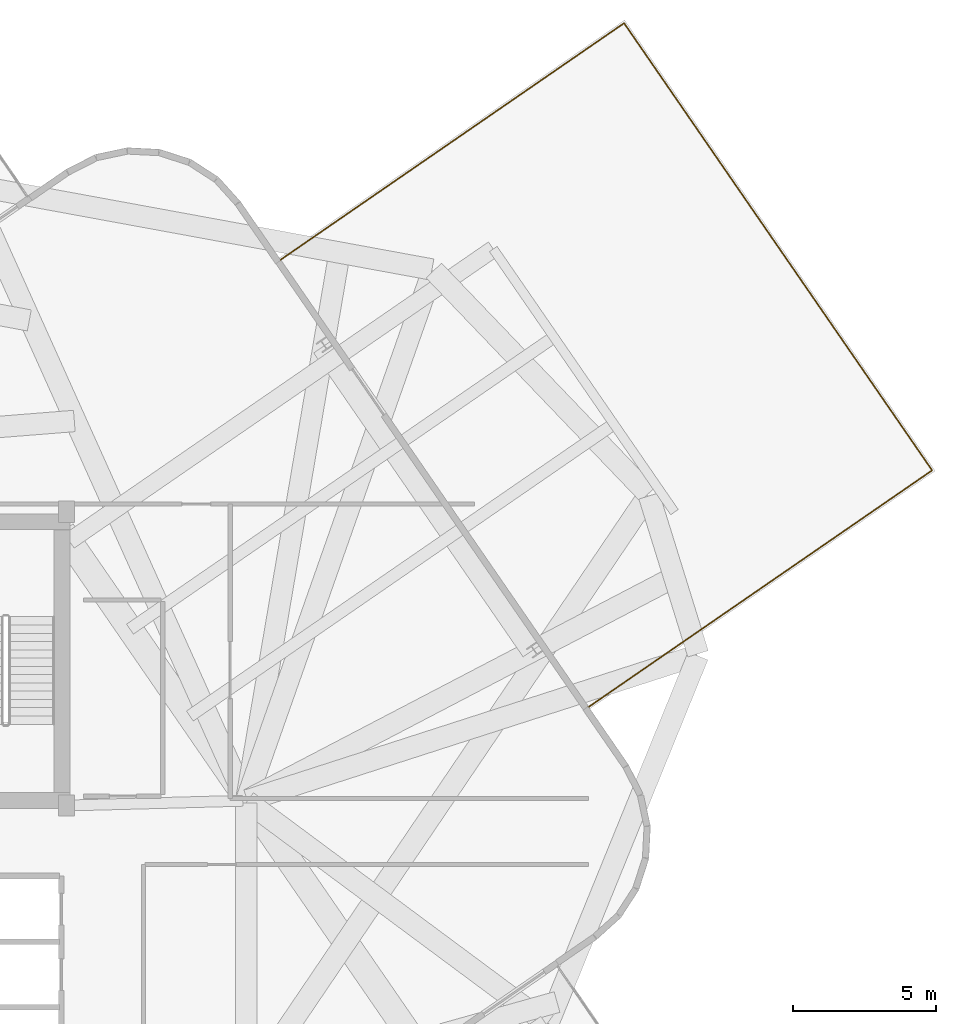
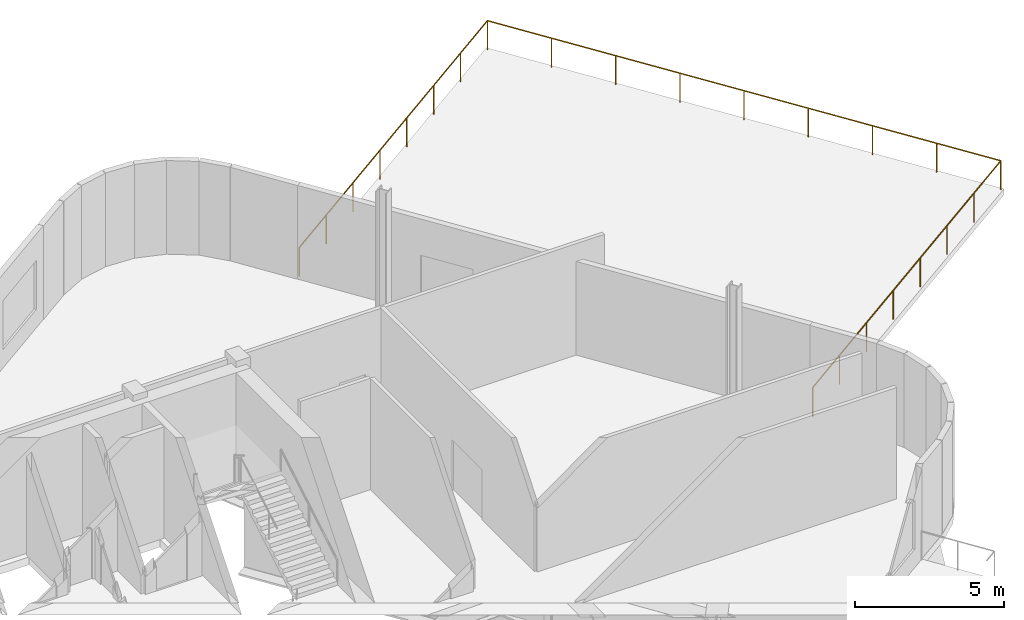
# One storey, part 18 of 18: 1 railing.
"""IFC4 building model written with IfcOpenShell, lengths in metres."""

from ifc_helpers import new_model, si_unit, direction, frame, origin, origin_2d, place, context, subcontext, project, spatial, circle, extrude, material, type_object, element, save


model = new_model("IFC4")

# Units and contexts
model_context = context("Model", 3, precision=1e-05, world=origin(), true_north=direction((0.0, 1.0)))
body_context = subcontext(model_context, "Body", "Model", "MODEL_VIEW")
ifc_project = project(units=[si_unit("LENGTHUNIT", "METRE"), si_unit("AREAUNIT", "SQUARE_METRE"), si_unit("VOLUMEUNIT", "CUBIC_METRE"), si_unit("PLANEANGLEUNIT", "RADIAN"), si_unit("MASSUNIT", "GRAM", prefix="KILO")], contexts=[model_context])

# Site, building, storey
site_placement = place(None, origin())
site = spatial("IfcSite", under=ifc_project, at=site_placement, CompositionType="ELEMENT")
building_placement = place(site_placement, origin())
building = spatial("IfcBuilding", under=site, at=building_placement, Name="Varnelok Gate Tower", CompositionType="ELEMENT")
storey_placement = place(building_placement, frame((0.0, 0.0, 296.300048828125)))
storey = spatial("IfcBuildingStorey", under=building, at=storey_placement, Name="L76", CompositionType="ELEMENT", Elevation=296.300048828125)

# Railing
ifc_material = material(Name="Anodized Aluminum Alloy 6063-T6", Category="aluminium")
railing_type = type_object("IfcRailingType", Name="RL-SKYG-1200", PredefinedType="GUARDRAIL", material=ifc_material)
railing_placement = place(storey_placement, frame((65.97119140625, 32.1806640625, 0.0)))
element("IfcRailing", 1, at=railing_placement, inside=storey, type_object=railing_type, Name="L76 East Cantilever Observation Lookout Guardrail", PredefinedType="GUARDRAIL", context=body_context, shape_type="SweptSolid", body=[
    extrude(circle(Radius=0.02392578125, at=origin_2d()), frame((0.0, 0.0, 1.17578125), z_axis=(0.823530752495, 0.56727162779, 0.0), x_axis=(-0.56727162779, 0.823530752495, 0.0)), (0.0, 0.0, 1.0), 14.669921875),
    extrude(circle(Radius=0.02392578125, at=origin_2d()), frame((12.0810546875, 8.32177734375, 1.17578125), z_axis=(-0.567265428435, 0.823535022754, 0.0), x_axis=(-0.823535022754, -0.567265428435, 0.0)), (0.0, 0.0, 1.0), 19.0400390625),
    extrude(circle(Radius=0.02392578125, at=origin_2d()), frame((1.2802734375, 24.001953125, 1.17578125), z_axis=(-0.82352297775, -0.56728291453, 0.0), x_axis=(0.56728291453, -0.82352297775, 0.0)), (0.0, 0.0, 1.0), 14.669921875),
    extrude(circle(Radius=0.02099609375, at=origin_2d()), origin(), (0.0, 0.0, 1.0), 1.15185546875),
    extrude(circle(Radius=0.02099609375, at=origin_2d()), frame((1.725830078125, 1.188720703125, 0.0)), (0.0, 0.0, 1.0), 1.15185546875),
    extrude(circle(Radius=0.02099609375, at=origin_2d()), frame((3.45166015625, 2.377685546875, 0.0)), (0.0, 0.0, 1.0), 1.15185546875),
    extrude(circle(Radius=0.02099609375, at=origin_2d()), frame((5.177490234375, 3.56640625, 0.0)), (0.0, 0.0, 1.0), 1.15185546875),
    extrude(circle(Radius=0.02099609375, at=origin_2d()), frame((6.903564453125, 4.75537109375, 0.0)), (0.0, 0.0, 1.0), 1.15185546875),
    extrude(circle(Radius=0.02099609375, at=origin_2d()), frame((8.62939453125, 5.944091796875, 0.0)), (0.0, 0.0, 1.0), 1.15185546875),
    extrude(circle(Radius=0.02099609375, at=origin_2d()), frame((10.355224609375, 7.133056640625, 0.0)), (0.0, 0.0, 1.0), 1.15185546875),
    extrude(circle(Radius=0.02099609375, at=origin_2d()), frame((12.0810546875, 8.32177734375, 0.0)), (0.0, 0.0, 1.0), 1.15185546875),
    extrude(circle(Radius=0.02099609375, at=origin_2d()), frame((10.73095703125, 10.28173828125, 0.0)), (0.0, 0.0, 1.0), 1.15185546875),
    extrude(circle(Radius=0.02099609375, at=origin_2d()), frame((9.380859375, 12.24169921875, 0.0)), (0.0, 0.0, 1.0), 1.15185546875),
    extrude(circle(Radius=0.02099609375, at=origin_2d()), frame((8.03076171875, 14.201904296875, 0.0)), (0.0, 0.0, 1.0), 1.15185546875),
    extrude(circle(Radius=0.02099609375, at=origin_2d()), frame((6.6806640625, 16.161865234375, 0.0)), (0.0, 0.0, 1.0), 1.15185546875),
    extrude(circle(Radius=0.02099609375, at=origin_2d()), frame((5.33056640625, 18.121826171875, 0.0)), (0.0, 0.0, 1.0), 1.15185546875),
    extrude(circle(Radius=0.02099609375, at=origin_2d()), frame((3.98046875, 20.08203125, 0.0)), (0.0, 0.0, 1.0), 1.15185546875),
    extrude(circle(Radius=0.02099609375, at=origin_2d()), frame((2.63037109375, 22.0419921875, 0.0)), (0.0, 0.0, 1.0), 1.15185546875),
    extrude(circle(Radius=0.02099609375, at=origin_2d()), frame((1.2802734375, 24.001953125, 0.0)), (0.0, 0.0, 1.0), 1.15185546875),
    extrude(circle(Radius=0.02099609375, at=origin_2d()), frame((-0.445556640625, 22.81298828125, 0.0)), (0.0, 0.0, 1.0), 1.15185546875),
    extrude(circle(Radius=0.02099609375, at=origin_2d()), frame((-2.17138671875, 21.624267578125, 0.0)), (0.0, 0.0, 1.0), 1.15185546875),
    extrude(circle(Radius=0.02099609375, at=origin_2d()), frame((-3.897216796875, 20.435302734375, 0.0)), (0.0, 0.0, 1.0), 1.15185546875),
    extrude(circle(Radius=0.02099609375, at=origin_2d()), frame((-5.623291015625, 19.24658203125, 0.0)), (0.0, 0.0, 1.0), 1.15185546875),
    extrude(circle(Radius=0.02099609375, at=origin_2d()), frame((-7.34912109375, 18.0576171875, 0.0)), (0.0, 0.0, 1.0), 1.15185546875),
    extrude(circle(Radius=0.02099609375, at=origin_2d()), frame((-9.074951171875, 16.868896484375, 0.0)), (0.0, 0.0, 1.0), 1.15185546875),
    extrude(circle(Radius=0.02099609375, at=origin_2d()), frame((-10.80078125, 15.679931640625, 0.0)), (0.0, 0.0, 1.0), 1.15185546875),
])

save(model, "model.ifc")
